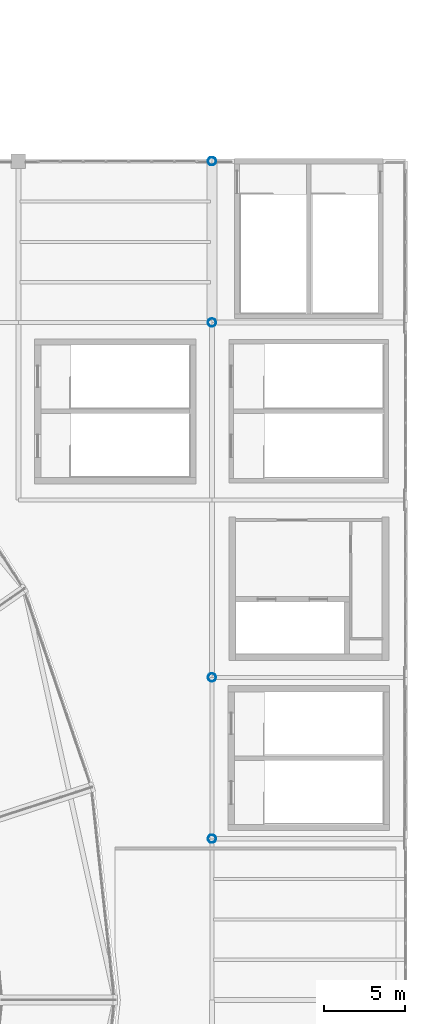
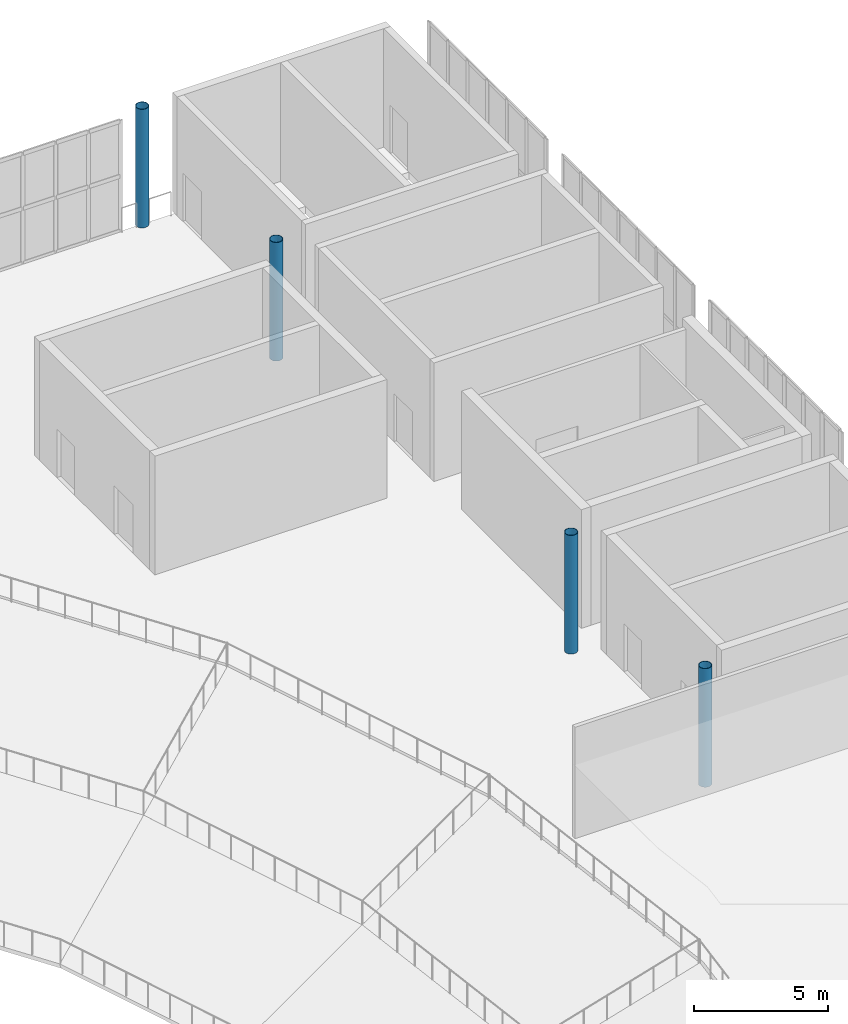
# One storey, part 4 of 74: 4 columns.
"""IFC4 building model written with IfcOpenShell, lengths in metres."""

from ifc_helpers import new_model, si_unit, direction, frame, origin, origin_2d, place, context, subcontext, project, spatial, hollow_circle, extrude, material, material_profile, profile_set, type_object, element, save


model = new_model("IFC4")

# Units and contexts
model_context = context("Model", 3, precision=1e-05, world=origin(), true_north=direction((0.0, 1.0)))
body_context = subcontext(model_context, "Body", "Model", "MODEL_VIEW")
ifc_project = project(units=[si_unit("LENGTHUNIT", "METRE"), si_unit("AREAUNIT", "SQUARE_METRE"), si_unit("VOLUMEUNIT", "CUBIC_METRE"), si_unit("PLANEANGLEUNIT", "RADIAN"), si_unit("MASSUNIT", "GRAM", prefix="KILO")], contexts=[model_context])

# Site, building, storey
site_placement = place(None, origin())
site = spatial("IfcSite", under=ifc_project, at=site_placement, CompositionType="ELEMENT")
building_placement = place(site_placement, origin())
building = spatial("IfcBuilding", under=site, at=building_placement, Name="Brinegate Civic Arena", CompositionType="ELEMENT")
storey_placement = place(building_placement, frame((0.0, 0.0, 19.199951171875)))
storey = spatial("IfcBuildingStorey", under=building, at=storey_placement, Name="L04", CompositionType="ELEMENT", Elevation=19.199951171875)

# Columns
ifc_material = material(Name="Steel S355", Category="steel")
ifc_material_profile = material_profile(ifc_material, hollow_circle(Radius=0.25390625, WallThickness=0.02001953125, at=origin_2d()), Name="CHS508X20")
ifc_profile_set = profile_set([ifc_material_profile], Name="Steel S355")
column_type = type_object("IfcColumnType", Name="COL-SC06-CHS508", PredefinedType="COLUMN", material=ifc_profile_set)
for number, where, z_axis, x_axis, name in (
    (1, (156.0, 72.0, 0.0), (0.0, 0.0, 1.0), (1.0, 0.0, 0.0), "Space Frame East Drum Column E-05-L04"),
    (2, (156.0, 82.0, 0.0), (0.0, 0.0, 1.0), (1.0, 0.0, 0.0), "Space Frame East Drum Column E-06-L04"),
    (3, (156.0, 104.0, 0.0), (0.0, 0.0, 1.0), (1.0, 0.0, 0.0), "Space Frame East Drum Column E-07-L04"),
    (4, (156.0, 114.0, 0.0), (0.0, 0.0, 1.0), (1.0, 0.0, 0.0), "Space Frame East Drum Column E-08-L04"),
):
    element("IfcColumn", number, at=place(storey_placement, frame(where, z_axis=z_axis, x_axis=x_axis)), inside=storey, type_object=column_type, Name=name, PredefinedType="COLUMN", context=body_context, shape_type="SweptSolid", body=[
        extrude(hollow_circle(Radius=0.25390625, WallThickness=0.02001953125, at=origin_2d()), origin(), (0.0, 0.0, 1.0), 5.400146484375),
    ])

save(model, "model.ifc")
